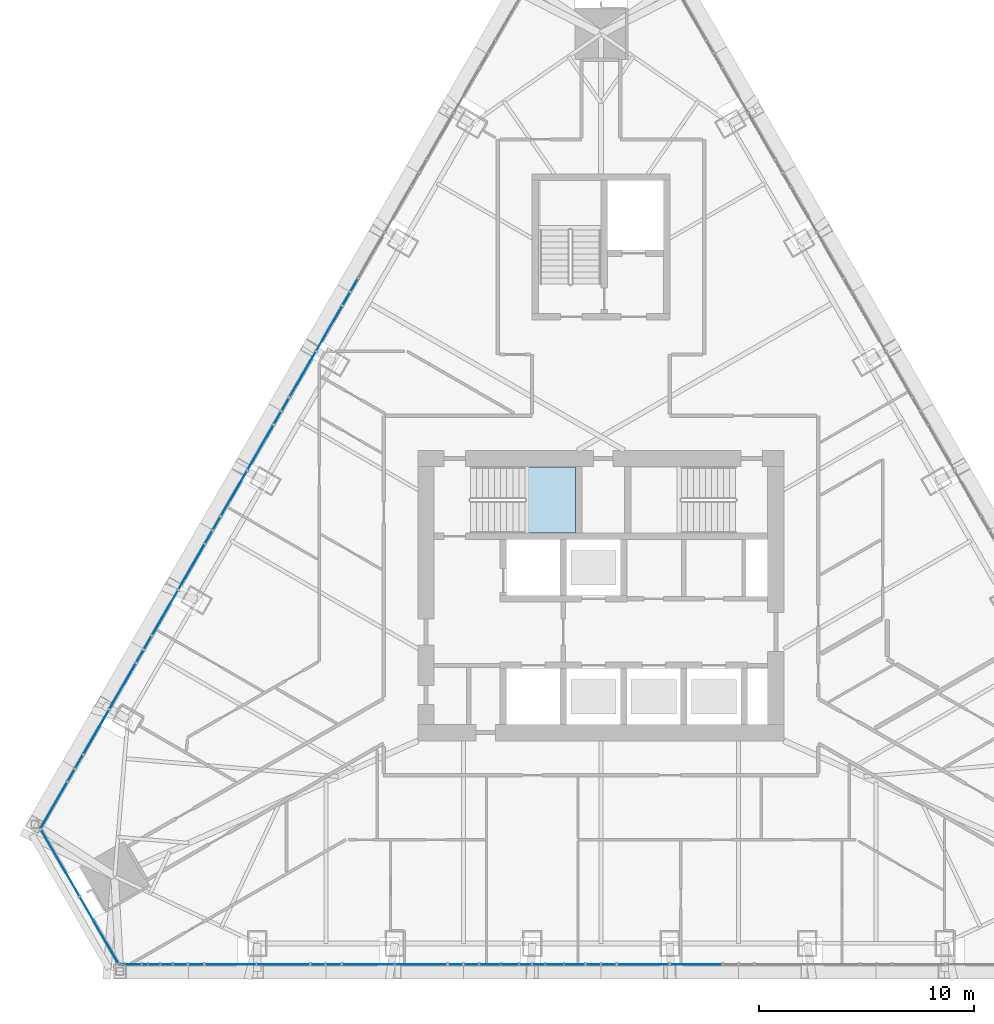
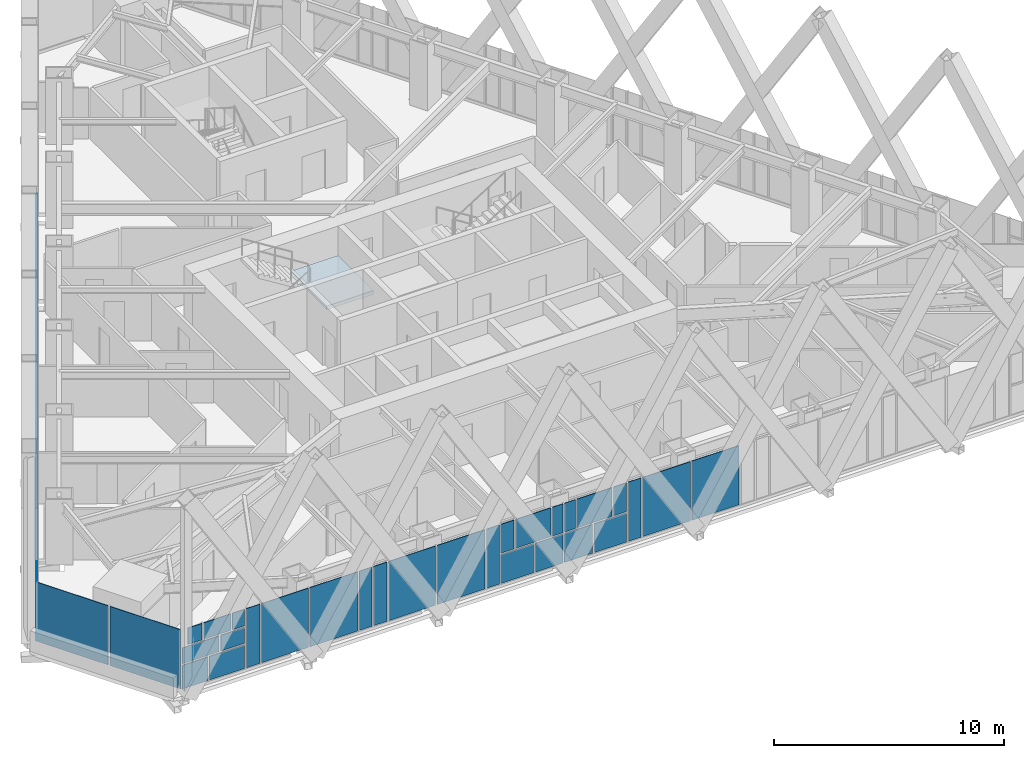
# One storey, part 10 of 21: 49 plates, 1 slab, 4 elements without a shape of their own.
"""IFC4 building model written with IfcOpenShell, lengths in metres."""

from ifc_helpers import new_model, si_unit, direction, frame, origin, place, context, subcontext, project, spatial, polyline, outline, extrude, material, layer, layer_set, type_object, element, aggregate, save


model = new_model("IFC4")

# Units and contexts
model_context = context("Model", 3, precision=1e-05, world=origin(), true_north=direction((0.0, 1.0)))
body_context = subcontext(model_context, "Body", "Model", "MODEL_VIEW")
ifc_project = project(units=[si_unit("LENGTHUNIT", "METRE"), si_unit("AREAUNIT", "SQUARE_METRE"), si_unit("VOLUMEUNIT", "CUBIC_METRE"), si_unit("PLANEANGLEUNIT", "RADIAN"), si_unit("MASSUNIT", "GRAM", prefix="KILO")], contexts=[model_context])

# Site, building, storey
site_placement = place(None, origin())
site = spatial("IfcSite", under=ifc_project, at=site_placement, CompositionType="ELEMENT")
building_placement = place(site_placement, origin())
building = spatial("IfcBuilding", under=site, at=building_placement, Name="Firuza Gate Tower and Library", CompositionType="ELEMENT")
storey_placement = place(building_placement, frame((0.0, 0.0, 281.10009765625)))
storey = spatial("IfcBuildingStorey", under=building, at=storey_placement, Name="L67", CompositionType="ELEMENT", Elevation=281.10009765625)

# Curtain wall, plates
ifc_material_1 = material(Name="Aluminium 6063-T6", Category="aluminium")
ifc_layer_1 = layer(ifc_material_1, 0.14990234375)
ifc_layer_set_1 = layer_set([ifc_layer_1], Name="Corner curtain wall, chamfers")
curtain_wall_type_1 = type_object("IfcCurtainWallType", Name="Corner curtain wall, chamfers", PredefinedType="NOTDEFINED", material=ifc_layer_set_1)
placement = place(storey_placement, origin())
curtain_wall_1 = element("IfcCurtainWall", 1, at=placement, inside=storey, type_object=curtain_wall_type_1, Name="CW4 L67 SW corner", PredefinedType="NOTDEFINED")
ifc_material_2 = material(Name="Fritted glass", Category="glass")
ifc_layer_2 = layer(ifc_material_2, 0.030029296875)
ifc_layer_set_2 = layer_set([ifc_layer_2], Name="Fritted glass unit, corners")
plate_type_1 = type_object("IfcPlateType", Name="Fritted glass unit, corners", PredefinedType="CURTAIN_PANEL", material=ifc_layer_set_2)
plate_1_placement = place(storey_placement, frame((48.957763671875, 64.125244140625, 0.14990234375), z_axis=(-0.866016723041, -0.500015035186, 0.0), x_axis=(0.500015035186, -0.866016723041, 0.0)))
plate_1 = element("IfcPlate", 2, at=plate_1_placement, type_object=plate_type_1, Name="Glass unit", PredefinedType="CURTAIN_PANEL", context=body_context, shape_type="SweptSolid", body=[
    extrude(outline(polyline([(0.0, 0.0), (3.5633694106530625, 0.0), (3.5633694106530625, 3.14990234375), (0.0, 3.14990234375), (0.0, 0.0)])), origin(), (0.0, 0.0, -1.0), 0.030029296875),
])
plate_2_placement = place(storey_placement, frame((50.779296875, 60.969970703125, 0.14990234375), z_axis=(-0.866016723041, -0.500015035186, 0.0), x_axis=(0.500015035186, -0.866016723041, 0.0)))
plate_2 = element("IfcPlate", 3, at=plate_2_placement, type_object=plate_type_1, Name="Glass unit", PredefinedType="CURTAIN_PANEL", context=body_context, shape_type="SweptSolid", body=[
    extrude(outline(polyline([(0.0, 0.0), (3.5633694106530625, 0.0), (3.5633694106530625, 3.14990234375), (0.0, 3.14990234375), (0.0, 0.0)])), origin(), (0.0, 0.0, -1.0), 0.030029296875),
])
aggregate(curtain_wall_1, [plate_1, plate_2])

ifc_material_3 = material(Name="Aluminium 6063-T6", Category="aluminium")
ifc_layer_3 = layer(ifc_material_3, 0.14990234375)
ifc_layer_set_3 = layer_set([ifc_layer_3], Name="Unitised curtain wall, residences")
curtain_wall_type_2 = type_object("IfcCurtainWallType", Name="Unitised curtain wall, residences", PredefinedType="NOTDEFINED", material=ifc_layer_set_3)
curtain_wall_2 = element("IfcCurtainWall", 4, at=placement, inside=storey, type_object=curtain_wall_type_2, Name="CW3 L67 S face", PredefinedType="NOTDEFINED")
ifc_material_4 = material(Name="Fritted glass", Category="glass")
ifc_layer_4 = layer(ifc_material_4, 0.030029296875)
ifc_layer_set_4 = layer_set([ifc_layer_4], Name="Fritted glass unit, residences")
plate_type_2 = type_object("IfcPlateType", Name="Fritted glass unit, residences", PredefinedType="CURTAIN_PANEL", material=ifc_layer_set_4)
plate_3_placement = place(storey_placement, frame((53.989990234375, 57.842041015625, 0.14990234375), z_axis=(0.0, -1.0, 0.0), x_axis=(1.0, 0.0, 0.0)))
plate_3 = element("IfcPlate", 5, at=plate_3_placement, type_object=plate_type_2, Name="Glass unit", PredefinedType="CURTAIN_PANEL", context=body_context, shape_type="SweptSolid", body=[
    extrude(outline(polyline([(0.0, 0.0), (1.764892578125, 0.0), (1.764892578125, 1.260009765625), (0.0, 1.260009765625), (0.0, 0.0)])), origin(), (0.0, 0.0, -1.0), 0.030029296875),
])
plate_4_placement = place(storey_placement, frame((54.552978515625, 57.842041015625, 1.489990234375), z_axis=(0.0, -1.0, 0.0), x_axis=(1.0, 0.0, 0.0)))
plate_4 = element("IfcPlate", 6, at=plate_4_placement, type_object=plate_type_2, Name="Glass unit", PredefinedType="CURTAIN_PANEL", context=body_context, shape_type="SweptSolid", body=[
    extrude(outline(polyline([(0.0, 0.0), (1.201904296875, 0.0), (1.201904296875, 0.844970703125), (0.0, 0.844970703125), (0.0, 0.0)])), origin(), (0.0, 0.0, -1.0), 0.030029296875),
])
plate_5_placement = place(storey_placement, frame((52.900146484375, 57.842041015625, 2.414794921875), z_axis=(0.0, -1.0, 0.0), x_axis=(1.0, 0.0, 0.0)))
plate_5 = element("IfcPlate", 7, at=plate_5_placement, type_object=plate_type_2, Name="Glass unit", PredefinedType="CURTAIN_PANEL", context=body_context, shape_type="SweptSolid", body=[
    extrude(outline(polyline([(0.0, 0.0), (0.7119140625, 0.0), (0.7119140625, 0.885009765625), (0.0, 0.885009765625), (0.0, 0.0)])), origin(), (0.0, 0.0, -1.0), 0.030029296875),
])
plate_6_placement = place(storey_placement, frame((55.14013671875, 57.842041015625, 2.414794921875), z_axis=(0.0, -1.0, 0.0), x_axis=(1.0, 0.0, 0.0)))
plate_6 = element("IfcPlate", 8, at=plate_6_placement, type_object=plate_type_2, Name="Glass unit", PredefinedType="CURTAIN_PANEL", context=body_context, shape_type="SweptSolid", body=[
    extrude(outline(polyline([(0.0, 0.0), (0.61474609375, 0.0), (0.61474609375, 0.885009765625), (0.0, 0.885009765625), (0.0, 0.0)])), origin(), (0.0, 0.0, -1.0), 0.030029296875),
])
plate_7_placement = place(storey_placement, frame((55.8349609375, 57.842041015625, 0.14990234375), z_axis=(0.0, -1.0, 0.0), x_axis=(1.0, 0.0, 0.0)))
plate_7 = element("IfcPlate", 9, at=plate_7_placement, type_object=plate_type_2, Name="Glass unit", PredefinedType="CURTAIN_PANEL", context=body_context, shape_type="SweptSolid", body=[
    extrude(outline(polyline([(0.0, 0.0), (0.68896484375, 0.0), (0.68896484375, 3.14990234375), (0.0, 3.14990234375), (0.0, 0.0)])), origin(), (0.0, 0.0, -1.0), 0.030029296875),
])
plate_8_placement = place(storey_placement, frame((61.529541015625, 57.842041015625, 0.14990234375), z_axis=(0.0, -1.0, 0.0), x_axis=(1.0, 0.0, 0.0)))
plate_8 = element("IfcPlate", 10, at=plate_8_placement, type_object=plate_type_2, Name="Glass unit", PredefinedType="CURTAIN_PANEL", context=body_context, shape_type="SweptSolid", body=[
    extrude(outline(polyline([(0.0, 0.0), (0.626953125, 0.0), (0.626953125, 3.14990234375), (0.0, 3.14990234375), (0.0, 0.0)])), origin(), (0.0, 0.0, -1.0), 0.030029296875),
])
plate_9_placement = place(storey_placement, frame((62.236572265625, 57.842041015625, 0.14990234375), z_axis=(0.0, -1.0, 0.0), x_axis=(1.0, 0.0, 0.0)))
plate_9 = element("IfcPlate", 11, at=plate_9_placement, type_object=plate_type_2, Name="Glass unit", PredefinedType="CURTAIN_PANEL", context=body_context, shape_type="SweptSolid", body=[
    extrude(outline(polyline([(0.0, 0.0), (0.6767578125, 0.0), (0.6767578125, 3.14990234375), (0.0, 3.14990234375), (0.0, 0.0)])), origin(), (0.0, 0.0, -1.0), 0.030029296875),
])
plate_10_placement = place(storey_placement, frame((67.918701171875, 57.842041015625, 0.14990234375), z_axis=(0.0, -1.0, 0.0), x_axis=(1.0, 0.0, 0.0)))
plate_10 = element("IfcPlate", 12, at=plate_10_placement, type_object=plate_type_2, Name="Glass unit", PredefinedType="CURTAIN_PANEL", context=body_context, shape_type="SweptSolid", body=[
    extrude(outline(polyline([(0.0, 0.0), (0.6396484375, 0.0), (0.6396484375, 3.14990234375), (0.0, 3.14990234375), (0.0, 0.0)])), origin(), (0.0, 0.0, -1.0), 0.030029296875),
])
plate_11_placement = place(storey_placement, frame((68.63818359375, 57.842041015625, 0.14990234375), z_axis=(0.0, -1.0, 0.0), x_axis=(1.0, 0.0, 0.0)))
plate_11 = element("IfcPlate", 13, at=plate_11_placement, type_object=plate_type_2, Name="Glass unit", PredefinedType="CURTAIN_PANEL", context=body_context, shape_type="SweptSolid", body=[
    extrude(outline(polyline([(0.0, 0.0), (1.647216796875, 0.0), (1.647216796875, 1.534912109375), (0.0, 1.534912109375), (0.0, 0.0)])), origin(), (0.0, 0.0, -1.0), 0.030029296875),
])
plate_12_placement = place(storey_placement, frame((68.63818359375, 57.842041015625, 1.764892578125), z_axis=(0.0, -1.0, 0.0), x_axis=(1.0, 0.0, 0.0)))
plate_12 = element("IfcPlate", 14, at=plate_12_placement, type_object=plate_type_2, Name="Glass unit", PredefinedType="CURTAIN_PANEL", context=body_context, shape_type="SweptSolid", body=[
    extrude(outline(polyline([(0.0, 0.0), (0.664306640625, 0.0), (0.664306640625, 1.534912109375), (0.0, 1.534912109375), (0.0, 0.0)])), origin(), (0.0, 0.0, -1.0), 0.030029296875),
])
plate_13_placement = place(storey_placement, frame((71.22607421875, 57.842041015625, 1.764892578125), z_axis=(0.0, -1.0, 0.0), x_axis=(1.0, 0.0, 0.0)))
plate_13 = element("IfcPlate", 15, at=plate_13_placement, type_object=plate_type_2, Name="Glass unit", PredefinedType="CURTAIN_PANEL", context=body_context, shape_type="SweptSolid", body=[
    extrude(outline(polyline([(0.0, 0.0), (0.532958984375, 0.0), (0.532958984375, 1.534912109375), (0.0, 1.534912109375), (0.0, 0.0)])), origin(), (0.0, 0.0, -1.0), 0.030029296875),
])
plate_14_placement = place(storey_placement, frame((73.325439453125, 57.842041015625, 0.14990234375), z_axis=(0.0, -1.0, 0.0), x_axis=(1.0, 0.0, 0.0)))
plate_14 = element("IfcPlate", 16, at=plate_14_placement, type_object=plate_type_2, Name="Glass unit", PredefinedType="CURTAIN_PANEL", context=body_context, shape_type="SweptSolid", body=[
    extrude(outline(polyline([(0.0, 0.0), (1.634521484375, 0.0), (1.634521484375, 1.534912109375), (0.0, 1.534912109375), (0.0, 0.0)])), origin(), (0.0, 0.0, -1.0), 0.030029296875),
])
plate_15_placement = place(storey_placement, frame((71.839111328125, 57.842041015625, 1.764892578125), z_axis=(0.0, -1.0, 0.0), x_axis=(1.0, 0.0, 0.0)))
plate_15 = element("IfcPlate", 17, at=plate_15_placement, type_object=plate_type_2, Name="Glass unit", PredefinedType="CURTAIN_PANEL", context=body_context, shape_type="SweptSolid", body=[
    extrude(outline(polyline([(0.0, 0.0), (0.54541015625, 0.0), (0.54541015625, 1.534912109375), (0.0, 1.534912109375), (0.0, 0.0)])), origin(), (0.0, 0.0, -1.0), 0.030029296875),
])
plate_16_placement = place(storey_placement, frame((74.30810546875, 57.842041015625, 1.764892578125), z_axis=(0.0, -1.0, 0.0), x_axis=(1.0, 0.0, 0.0)))
plate_16 = element("IfcPlate", 18, at=plate_16_placement, type_object=plate_type_2, Name="Glass unit", PredefinedType="CURTAIN_PANEL", context=body_context, shape_type="SweptSolid", body=[
    extrude(outline(polyline([(0.0, 0.0), (0.65185546875, 0.0), (0.65185546875, 1.534912109375), (0.0, 1.534912109375), (0.0, 0.0)])), origin(), (0.0, 0.0, -1.0), 0.030029296875),
])
plate_17_placement = place(storey_placement, frame((75.0400390625, 57.842041015625, 0.14990234375), z_axis=(0.0, -1.0, 0.0), x_axis=(1.0, 0.0, 0.0)))
plate_17 = element("IfcPlate", 19, at=plate_17_placement, type_object=plate_type_2, Name="Glass unit", PredefinedType="CURTAIN_PANEL", context=body_context, shape_type="SweptSolid", body=[
    extrude(outline(polyline([(0.0, 0.0), (0.65185546875, 0.0), (0.65185546875, 3.14990234375), (0.0, 3.14990234375), (0.0, 0.0)])), origin(), (0.0, 0.0, -1.0), 0.030029296875),
])

curtain_wall_3 = element("IfcCurtainWall", 20, at=placement, inside=storey, type_object=curtain_wall_type_2, Name="CW3 L67 W face", PredefinedType="NOTDEFINED")
plate_18_placement = place(storey_placement, frame((63.681396484375, 89.71142578125, 0.14990234375), z_axis=(-0.865931220513, 0.500163094741, 0.0), x_axis=(-0.500163094741, -0.865931220513, 0.0)))
plate_18 = element("IfcPlate", 21, at=plate_18_placement, type_object=plate_type_2, Name="Glass unit", PredefinedType="CURTAIN_PANEL", context=body_context, shape_type="SweptSolid", body=[
    extrude(outline(polyline([(0.0, 0.0), (0.6394398589438859, 0.0), (0.6394398589438859, 3.14990234375), (0.0, 3.14990234375), (0.0, 0.0)])), origin(), (0.0, 0.0, -1.0), 0.030029296875),
])
plate_19_placement = place(storey_placement, frame((63.321533203125, 89.08837890625, 0.14990234375), z_axis=(-0.866063163075, 0.499934593286, 0.0), x_axis=(-0.499934593286, -0.866063163075, 0.0)))
plate_19 = element("IfcPlate", 22, at=plate_19_placement, type_object=plate_type_2, Name="Glass unit", PredefinedType="CURTAIN_PANEL", context=body_context, shape_type="SweptSolid", body=[
    extrude(outline(polyline([(0.0, 0.0), (0.6641493796568172, 0.0), (0.6641493796568172, 3.14990234375), (0.0, 3.14990234375), (0.0, 0.0)])), origin(), (0.0, 0.0, -1.0), 0.030029296875),
])
plate_20_placement = place(storey_placement, frame((60.486572265625, 84.17822265625, 0.14990234375), z_axis=(-0.865998449813, 0.500046682742, 0.0), x_axis=(-0.500046682742, -0.865998449813, 0.0)))
plate_20 = element("IfcPlate", 23, at=plate_20_placement, type_object=plate_type_2, Name="Glass unit", PredefinedType="CURTAIN_PANEL", context=body_context, shape_type="SweptSolid", body=[
    extrude(outline(polyline([(0.0, 0.0), (0.651794613630004, 0.0), (0.651794613630004, 3.14990234375), (0.0, 3.14990234375), (0.0, 0.0)])), origin(), (0.0, 0.0, -1.0), 0.030029296875),
])
plate_21_placement = place(storey_placement, frame((60.12060546875, 83.54443359375, 0.14990234375), z_axis=(-0.866092063448, 0.499884524299, 0.0), x_axis=(-0.499884524299, -0.866092063448, 0.0)))
plate_21 = element("IfcPlate", 24, at=plate_21_placement, type_object=plate_type_2, Name="Glass unit", PredefinedType="CURTAIN_PANEL", context=body_context, shape_type="SweptSolid", body=[
    extrude(outline(polyline([(0.0, 0.0), (0.6520060504620891, 0.0), (0.6520060504620891, 3.14990234375), (0.0, 3.14990234375), (0.0, 0.0)])), origin(), (0.0, 0.0, -1.0), 0.030029296875),
])
plate_22_placement = place(storey_placement, frame((57.2919921875, 78.644775390625, 0.14990234375), z_axis=(-0.866063163075, 0.499934593286, 0.0), x_axis=(-0.499934593286, -0.866063163075, 0.0)))
plate_22 = element("IfcPlate", 25, at=plate_22_placement, type_object=plate_type_2, Name="Glass unit", PredefinedType="CURTAIN_PANEL", context=body_context, shape_type="SweptSolid", body=[
    extrude(outline(polyline([(0.0, 0.0), (0.6641493796568172, 0.0), (0.6641493796568172, 3.14990234375), (0.0, 3.14990234375), (0.0, 0.0)])), origin(), (0.0, 0.0, -1.0), 0.030029296875),
])
plate_23_placement = place(storey_placement, frame((56.919921875, 78.000244140625, 0.14990234375), z_axis=(-0.865931220513, 0.500163094741, 0.0), x_axis=(-0.500163094741, -0.865931220513, 0.0)))
plate_23 = element("IfcPlate", 26, at=plate_23_placement, type_object=plate_type_2, Name="Glass unit", PredefinedType="CURTAIN_PANEL", context=body_context, shape_type="SweptSolid", body=[
    extrude(outline(polyline([(0.0, 0.0), (0.6394398589438859, 0.0), (0.6394398589438859, 3.14990234375), (0.0, 3.14990234375), (0.0, 0.0)])), origin(), (0.0, 0.0, -1.0), 0.030029296875),
])
plate_24_placement = place(storey_placement, frame((54.097412109375, 73.111572265625, 0.14990234375), z_axis=(-0.865969252911, 0.500097243556, 0.0), x_axis=(-0.500097243556, -0.865969252911, 0.0)))
plate_24 = element("IfcPlate", 27, at=plate_24_placement, type_object=plate_type_2, Name="Glass unit", PredefinedType="CURTAIN_PANEL", context=body_context, shape_type="SweptSolid", body=[
    extrude(outline(polyline([(0.0, 0.0), (0.6766262174208122, 0.0), (0.6766262174208122, 3.14990234375), (0.0, 3.14990234375), (0.0, 0.0)])), origin(), (0.0, 0.0, -1.0), 0.030029296875),
])
plate_25_placement = place(storey_placement, frame((53.718994140625, 72.456298828125, 0.14990234375), z_axis=(-0.866127254354, 0.49982354813, 0.0), x_axis=(-0.49982354813, -0.866127254354, 0.0)))
plate_25 = element("IfcPlate", 28, at=plate_25_placement, type_object=plate_type_2, Name="Glass unit", PredefinedType="CURTAIN_PANEL", context=body_context, shape_type="SweptSolid", body=[
    extrude(outline(polyline([(0.0, 0.0), (0.6271744572110576, 0.0), (0.6271744572110576, 3.14990234375), (0.0, 3.14990234375), (0.0, 0.0)])), origin(), (0.0, 0.0, -1.0), 0.030029296875),
])
plate_26_placement = place(storey_placement, frame((50.902587890625, 67.578125, 0.14990234375), z_axis=(-0.866032163869, 0.499988291006, 0.0), x_axis=(-0.499988291006, -0.866032163869, 0.0)))
plate_26 = element("IfcPlate", 29, at=plate_26_placement, type_object=plate_type_2, Name="Glass unit", PredefinedType="CURTAIN_PANEL", context=body_context, shape_type="SweptSolid", body=[
    extrude(outline(polyline([(0.0, 0.0), (0.6889809782976328, 0.0), (0.6889809782976328, 3.14990234375), (0.0, 3.14990234375), (0.0, 0.0)])), origin(), (0.0, 0.0, -1.0), 0.030029296875),
])
plate_27_placement = place(storey_placement, frame((50.51806640625, 66.912353515625, 0.14990234375), z_axis=(-0.866059952115, 0.49994015576, 0.0), x_axis=(-0.49994015576, -0.866059952115, 0.0)))
plate_27 = element("IfcPlate", 30, at=plate_27_placement, type_object=plate_type_2, Name="Glass unit", PredefinedType="CURTAIN_PANEL", context=body_context, shape_type="SweptSolid", body=[
    extrude(outline(polyline([(0.0, 0.0), (0.6148196805825695, 0.0), (0.6148196805825695, 3.14990234375), (0.0, 3.14990234375), (0.0, 0.0)])), origin(), (0.0, 0.0, -1.0), 0.030029296875),
])

# Plate
ifc_material_5 = material(Name="Glazed ceramic tile")
ifc_layer_5 = layer(ifc_material_5, 0.030029296875)
ifc_layer_set_5 = layer_set([ifc_layer_5], Name="Opaque ceramic panel, residences")
plate_type_3 = type_object("IfcPlateType", Name="Opaque ceramic panel, residences", PredefinedType="CURTAIN_PANEL", material=ifc_layer_set_5)
plate_28_placement = place(storey_placement, frame((52.634033203125, 57.842041015625, 0.14990234375), z_axis=(0.0, -1.0, 0.0), x_axis=(1.0, 0.0, 0.0)))
plate_28 = element("IfcPlate", 31, at=plate_28_placement, type_object=plate_type_3, Name="Opaque ceramic panel", PredefinedType="CURTAIN_PANEL", context=body_context, shape_type="SweptSolid", body=[
    extrude(outline(polyline([(0.0, 0.0), (1.276123046875, 0.0), (1.276123046875, 1.260009765625), (0.0, 1.260009765625), (0.0, 0.0)])), origin(), (0.0, 0.0, -1.0), 0.030029296875),
])

plate_29_placement = place(storey_placement, frame((52.634033203125, 57.842041015625, 1.489990234375), z_axis=(0.0, -1.0, 0.0), x_axis=(1.0, 0.0, 0.0)))
plate_29 = element("IfcPlate", 32, at=plate_29_placement, type_object=plate_type_3, Name="Opaque ceramic panel", PredefinedType="CURTAIN_PANEL", context=body_context, shape_type="SweptSolid", body=[
    extrude(outline(polyline([(0.0, 0.0), (1.8388671875, 0.0), (1.8388671875, 0.844970703125), (0.0, 0.844970703125), (0.0, 0.0)])), origin(), (0.0, 0.0, -1.0), 0.030029296875),
])

plate_30_placement = place(storey_placement, frame((53.692138671875, 57.842041015625, 2.414794921875), z_axis=(0.0, -1.0, 0.0), x_axis=(1.0, 0.0, 0.0)))
plate_30 = element("IfcPlate", 33, at=plate_30_placement, type_object=plate_type_3, Name="Opaque ceramic panel", PredefinedType="CURTAIN_PANEL", context=body_context, shape_type="SweptSolid", body=[
    extrude(outline(polyline([(0.0, 0.0), (1.367919921875, 0.0), (1.367919921875, 0.885009765625), (0.0, 0.885009765625), (0.0, 0.0)])), origin(), (0.0, 0.0, -1.0), 0.030029296875),
])

plate_31_placement = place(storey_placement, frame((56.60400390625, 57.842041015625, 0.14990234375), z_axis=(0.0, -1.0, 0.0), x_axis=(1.0, 0.0, 0.0)))
plate_31 = element("IfcPlate", 34, at=plate_31_placement, type_object=plate_type_3, Name="Opaque ceramic panel", PredefinedType="CURTAIN_PANEL", context=body_context, shape_type="SweptSolid", body=[
    extrude(outline(polyline([(0.0, 0.0), (2.351806640625, 0.0), (2.351806640625, 3.14990234375), (0.0, 3.14990234375), (0.0, 0.0)])), origin(), (0.0, 0.0, -1.0), 0.030029296875),
])

plate_32_placement = place(storey_placement, frame((59.03564453125, 57.842041015625, 0.14990234375), z_axis=(0.0, -1.0, 0.0), x_axis=(1.0, 0.0, 0.0)))
plate_32 = element("IfcPlate", 35, at=plate_32_placement, type_object=plate_type_3, Name="Opaque ceramic panel", PredefinedType="CURTAIN_PANEL", context=body_context, shape_type="SweptSolid", body=[
    extrude(outline(polyline([(0.0, 0.0), (2.413818359375, 0.0), (2.413818359375, 3.14990234375), (0.0, 3.14990234375), (0.0, 0.0)])), origin(), (0.0, 0.0, -1.0), 0.030029296875),
])

plate_33_placement = place(storey_placement, frame((62.9931640625, 57.842041015625, 0.14990234375), z_axis=(0.0, -1.0, 0.0), x_axis=(1.0, 0.0, 0.0)))
plate_33 = element("IfcPlate", 36, at=plate_33_placement, type_object=plate_type_3, Name="Opaque ceramic panel", PredefinedType="CURTAIN_PANEL", context=body_context, shape_type="SweptSolid", body=[
    extrude(outline(polyline([(0.0, 0.0), (2.3642578125, 0.0), (2.3642578125, 3.14990234375), (0.0, 3.14990234375), (0.0, 0.0)])), origin(), (0.0, 0.0, -1.0), 0.030029296875),
])

plate_34_placement = place(storey_placement, frame((65.4375, 57.842041015625, 0.14990234375), z_axis=(0.0, -1.0, 0.0), x_axis=(1.0, 0.0, 0.0)))
plate_34 = element("IfcPlate", 37, at=plate_34_placement, type_object=plate_type_3, Name="Opaque ceramic panel", PredefinedType="CURTAIN_PANEL", context=body_context, shape_type="SweptSolid", body=[
    extrude(outline(polyline([(0.0, 0.0), (2.4013671875, 0.0), (2.4013671875, 3.14990234375), (0.0, 3.14990234375), (0.0, 0.0)])), origin(), (0.0, 0.0, -1.0), 0.030029296875),
])

plate_35_placement = place(storey_placement, frame((70.365234375, 57.842041015625, 0.14990234375), z_axis=(0.0, -1.0, 0.0), x_axis=(1.0, 0.0, 0.0)))
plate_35 = element("IfcPlate", 38, at=plate_35_placement, type_object=plate_type_3, Name="Opaque ceramic panel", PredefinedType="CURTAIN_PANEL", context=body_context, shape_type="SweptSolid", body=[
    extrude(outline(polyline([(0.0, 0.0), (1.393798828125, 0.0), (1.393798828125, 1.534912109375), (0.0, 1.534912109375), (0.0, 0.0)])), origin(), (0.0, 0.0, -1.0), 0.030029296875),
])

plate_36_placement = place(storey_placement, frame((69.382568359375, 57.842041015625, 1.764892578125), z_axis=(0.0, -1.0, 0.0), x_axis=(1.0, 0.0, 0.0)))
plate_36 = element("IfcPlate", 39, at=plate_36_placement, type_object=plate_type_3, Name="Opaque ceramic panel", PredefinedType="CURTAIN_PANEL", context=body_context, shape_type="SweptSolid", body=[
    extrude(outline(polyline([(0.0, 0.0), (1.763427734375, 0.0), (1.763427734375, 1.534912109375), (0.0, 1.534912109375), (0.0, 0.0)])), origin(), (0.0, 0.0, -1.0), 0.030029296875),
])

plate_37_placement = place(storey_placement, frame((71.839111328125, 57.842041015625, 0.14990234375), z_axis=(0.0, -1.0, 0.0), x_axis=(1.0, 0.0, 0.0)))
plate_37 = element("IfcPlate", 40, at=plate_37_placement, type_object=plate_type_3, Name="Opaque ceramic panel", PredefinedType="CURTAIN_PANEL", context=body_context, shape_type="SweptSolid", body=[
    extrude(outline(polyline([(0.0, 0.0), (1.40625, 0.0), (1.40625, 1.534912109375), (0.0, 1.534912109375), (0.0, 0.0)])), origin(), (0.0, 0.0, -1.0), 0.030029296875),
])

plate_38_placement = place(storey_placement, frame((72.464599609375, 57.842041015625, 1.764892578125), z_axis=(0.0, -1.0, 0.0), x_axis=(1.0, 0.0, 0.0)))
plate_38 = element("IfcPlate", 41, at=plate_38_placement, type_object=plate_type_3, Name="Opaque ceramic panel", PredefinedType="CURTAIN_PANEL", context=body_context, shape_type="SweptSolid", body=[
    extrude(outline(polyline([(0.0, 0.0), (1.763427734375, 0.0), (1.763427734375, 1.534912109375), (0.0, 1.534912109375), (0.0, 0.0)])), origin(), (0.0, 0.0, -1.0), 0.030029296875),
])

plate_39_placement = place(storey_placement, frame((75.77197265625, 57.842041015625, 0.14990234375), z_axis=(0.0, -1.0, 0.0), x_axis=(1.0, 0.0, 0.0)))
plate_39 = element("IfcPlate", 42, at=plate_39_placement, type_object=plate_type_3, Name="Opaque ceramic panel", PredefinedType="CURTAIN_PANEL", context=body_context, shape_type="SweptSolid", body=[
    extrude(outline(polyline([(0.0, 0.0), (2.388916015625, 0.0), (2.388916015625, 3.14990234375), (0.0, 3.14990234375), (0.0, 0.0)])), origin(), (0.0, 0.0, -1.0), 0.030029296875),
])

plate_40_placement = place(storey_placement, frame((78.240966796875, 57.842041015625, 0.14990234375), z_axis=(0.0, -1.0, 0.0), x_axis=(1.0, 0.0, 0.0)))
plate_40 = element("IfcPlate", 43, at=plate_40_placement, type_object=plate_type_3, Name="Opaque ceramic panel", PredefinedType="CURTAIN_PANEL", context=body_context, shape_type="SweptSolid", body=[
    extrude(outline(polyline([(0.0, 0.0), (2.37646484375, 0.0), (2.37646484375, 3.14990234375), (0.0, 3.14990234375), (0.0, 0.0)])), origin(), (0.0, 0.0, -1.0), 0.030029296875),
])

aggregate(curtain_wall_2, [plate_28, plate_3, plate_29, plate_4, plate_5, plate_30, plate_6, plate_7, plate_31, plate_32, plate_8, plate_9, plate_33, plate_34, plate_10, plate_11, plate_35, plate_12, plate_36, plate_13, plate_37, plate_14, plate_15, plate_38, plate_16, plate_17, plate_39, plate_40])

plate_41_placement = place(storey_placement, frame((62.949462890625, 88.44384765625, 0.14990234375), z_axis=(-0.866028196007, 0.499995163697, 0.0), x_axis=(-0.499995163697, -0.866028196007, 0.0)))
plate_41 = element("IfcPlate", 44, at=plate_41_placement, type_object=plate_type_3, Name="Opaque ceramic panel", PredefinedType="CURTAIN_PANEL", context=body_context, shape_type="SweptSolid", body=[
    extrude(outline(polyline([(0.0, 0.0), (2.3764878305797374, 0.0), (2.3764878305797374, 3.14990234375), (0.0, 3.14990234375), (0.0, 0.0)])), origin(), (0.0, 0.0, -1.0), 0.030029296875),
])

plate_42_placement = place(storey_placement, frame((61.72119140625, 86.31640625, 0.14990234375), z_axis=(-0.86600178037, 0.500040914722, 0.0), x_axis=(-0.500040914722, -0.86600178037, 0.0)))
plate_42 = element("IfcPlate", 45, at=plate_42_placement, type_object=plate_type_3, Name="Opaque ceramic panel", PredefinedType="CURTAIN_PANEL", context=body_context, shape_type="SweptSolid", body=[
    extrude(outline(polyline([(0.0, 0.0), (2.3889646686010764, 0.0), (2.3889646686010764, 3.149902343750001), (0.0, 3.149902343750001), (0.0, 0.0)])), origin(), (0.0, 0.0, -1.0), 0.030029296875),
])

plate_43_placement = place(storey_placement, frame((59.7548828125, 82.91064453125, 0.14990234375), z_axis=(-0.86602732995, 0.499996663769, 0.0), x_axis=(-0.499996663769, -0.86602732995, 0.0)))
plate_43 = element("IfcPlate", 46, at=plate_43_placement, type_object=plate_type_3, Name="Opaque ceramic panel", PredefinedType="CURTAIN_PANEL", context=body_context, shape_type="SweptSolid", body=[
    extrude(outline(polyline([(0.0, 0.0), (2.38917609793597, 0.0), (2.38917609793597, 3.14990234375), (0.0, 3.14990234375), (0.0, 0.0)])), origin(), (0.0, 0.0, -1.0), 0.030029296875),
])

plate_44_placement = place(storey_placement, frame((58.520263671875, 80.7724609375, 0.14990234375), z_axis=(-0.866053875007, 0.499950683153, 0.0), x_axis=(-0.499950683153, -0.866053875007, 0.0)))
plate_44 = element("IfcPlate", 47, at=plate_44_placement, type_object=plate_type_3, Name="Opaque ceramic panel", PredefinedType="CURTAIN_PANEL", context=body_context, shape_type="SweptSolid", body=[
    extrude(outline(polyline([(0.0, 0.0), (2.376699266379561, 0.0), (2.376699266379561, 3.14990234375), (0.0, 3.14990234375), (0.0, 0.0)])), origin(), (0.0, 0.0, -1.0), 0.030029296875),
])

plate_45_placement = place(storey_placement, frame((56.56005859375, 77.377197265625, 0.14990234375), z_axis=(-0.866019662671, 0.500009943768, 0.0), x_axis=(-0.500009943768, -0.866019662671, 0.0)))
plate_45 = element("IfcPlate", 48, at=plate_45_placement, type_object=plate_type_3, Name="Opaque ceramic panel", PredefinedType="CURTAIN_PANEL", context=body_context, shape_type="SweptSolid", body=[
    extrude(outline(polyline([(0.0, 0.0), (2.4013194311729054, 0.0), (2.4013194311729054, 3.14990234375), (0.0, 3.14990234375), (0.0, 0.0)])), origin(), (0.0, 0.0, -1.0), 0.030029296875),
])

plate_46_placement = place(storey_placement, frame((55.3193359375, 75.228271484375, 0.14990234375), z_axis=(-0.866054888023, 0.499948928323, 0.0), x_axis=(-0.499948928323, -0.866054888023, 0.0)))
plate_46 = element("IfcPlate", 49, at=plate_46_placement, type_object=plate_type_3, Name="Opaque ceramic panel", PredefinedType="CURTAIN_PANEL", context=body_context, shape_type="SweptSolid", body=[
    extrude(outline(polyline([(0.0, 0.0), (2.36401099926105, 0.0), (2.36401099926105, 3.14990234375), (0.0, 3.14990234375), (0.0, 0.0)])), origin(), (0.0, 0.0, -1.0), 0.030029296875),
])

plate_47_placement = place(storey_placement, frame((53.365478515625, 71.843994140625, 0.14990234375), z_axis=(-0.866037360815, 0.499979289244, 0.0), x_axis=(-0.499979289244, -0.866037360815, 0.0)))
plate_47 = element("IfcPlate", 50, at=plate_47_placement, type_object=plate_type_3, Name="Opaque ceramic panel", PredefinedType="CURTAIN_PANEL", context=body_context, shape_type="SweptSolid", body=[
    extrude(outline(polyline([(0.0, 0.0), (2.413674196784525, 0.0), (2.413674196784525, 3.14990234375), (0.0, 3.14990234375), (0.0, 0.0)])), origin(), (0.0, 0.0, -1.0), 0.030029296875),
])

plate_48_placement = place(storey_placement, frame((52.11865234375, 69.684326171875, 0.14990234375), z_axis=(-0.866017910757, 0.500012978079, 0.0), x_axis=(-0.500012978079, -0.866017910757, 0.0)))
plate_48 = element("IfcPlate", 51, at=plate_48_placement, type_object=plate_type_3, Name="Opaque ceramic panel", PredefinedType="CURTAIN_PANEL", context=body_context, shape_type="SweptSolid", body=[
    extrude(outline(polyline([(0.0, 0.0), (2.351989732630695, 0.0), (2.351989732630695, 3.14990234375), (0.0, 3.14990234375), (0.0, 0.0)])), origin(), (0.0, 0.0, -1.0), 0.030029296875),
])

plate_49_placement = place(storey_placement, frame((50.1708984375, 66.310546875, 0.14990234375), z_axis=(-0.866011303768, 0.50002442115, 0.0), x_axis=(-0.50002442115, -0.866011303768, 0.0)))
plate_49 = element("IfcPlate", 52, at=plate_49_placement, type_object=plate_type_3, Name="Opaque ceramic panel", PredefinedType="CURTAIN_PANEL", context=body_context, shape_type="SweptSolid", body=[
    extrude(outline(polyline([(0.0, 0.0), (2.4261510324511844, 0.0), (2.4261510324511844, 3.14990234375), (0.0, 3.14990234375), (0.0, 0.0)])), origin(), (0.0, 0.0, -1.0), 0.030029296875),
])

aggregate(curtain_wall_3, [plate_18, plate_19, plate_41, plate_42, plate_20, plate_21, plate_43, plate_44, plate_22, plate_23, plate_45, plate_46, plate_24, plate_25, plate_47, plate_48, plate_26, plate_27, plate_49])

# Stair, slab
ifc_material_6 = material(Name="Concrete C35/45", Category="concrete")
stair_type = type_object("IfcStairType", Name="Exit stair ST8", PredefinedType="HALF_TURN_STAIR", material=ifc_material_6)
stair = element("IfcStair", 53, at=placement, inside=storey, type_object=stair_type, Name="L67 Stair ST1", PredefinedType="HALF_TURN_STAIR")
ifc_material_7 = material(Name="Concrete C35/45", Category="concrete")
ifc_layer_6 = layer(ifc_material_7, 0.199951171875)
ifc_layer_set_6 = layer_set([ifc_layer_6], Name="Stair landing 200")
slab_type = type_object("IfcSlabType", Name="Stair landing 200", PredefinedType="LANDING", material=ifc_layer_set_6)
slab_placement = place(storey_placement, frame((0.0, 0.0, 1.5498046875)))
slab = element("IfcSlab", 54, at=slab_placement, type_object=slab_type, Name="ST1 landing 1", PredefinedType="LANDING", context=body_context, shape_type="SweptSolid", body=[
    extrude(outline(polyline([(71.4599609375, 77.89990234375), (73.81005859375, 77.89990234375), (73.81005859375, 80.97998046875), (71.4599609375, 80.97998046875), (71.4599609375, 77.89990234375)])), origin(), (0.0, 0.0, 1.0), 0.2001953125),
])
aggregate(stair, [slab])

save(model, "model.ifc")
